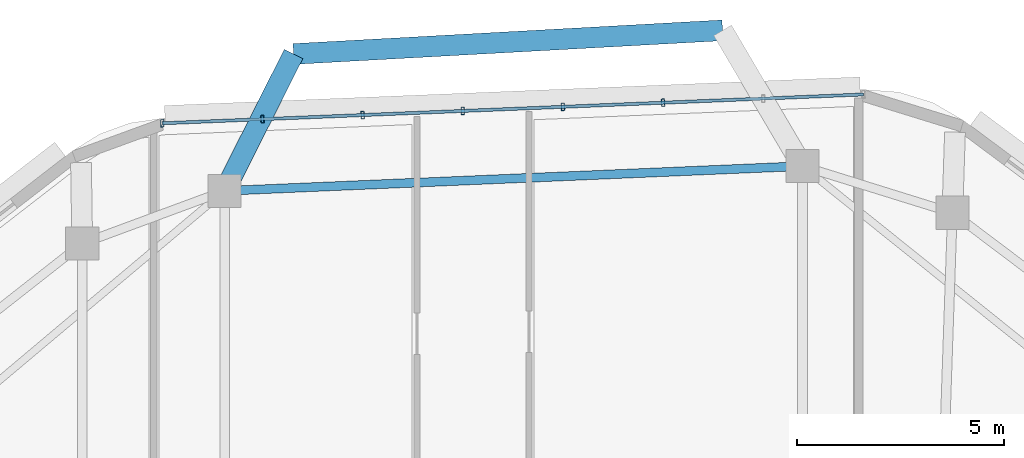
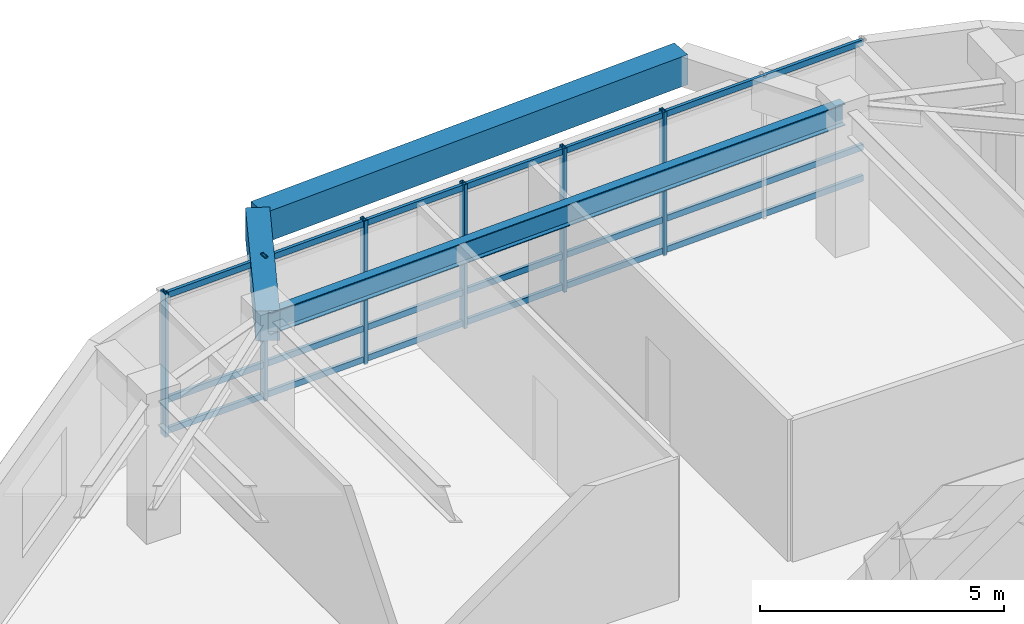
# One storey, part 2 of 12: 9 members, 3 beams, 1 element without a shape of its own.
"""IFC4 building model written with IfcOpenShell, lengths in metres."""

from ifc_helpers import new_model, si_unit, direction, frame, origin, origin_2d, place, context, subcontext, project, spatial, rectangle, hollow_rectangle, i_section, extrude, material, material_profile, profile_set, type_object, element, aggregate, save


model = new_model("IFC4")

# Units and contexts
model_context = context("Model", 3, precision=1e-05, world=origin(), true_north=direction((0.0, 1.0)))
body_context = subcontext(model_context, "Body", "Model", "MODEL_VIEW")
ifc_project = project(units=[si_unit("LENGTHUNIT", "METRE"), si_unit("AREAUNIT", "SQUARE_METRE"), si_unit("VOLUMEUNIT", "CUBIC_METRE"), si_unit("PLANEANGLEUNIT", "RADIAN"), si_unit("MASSUNIT", "GRAM", prefix="KILO")], contexts=[model_context])

# Site, building, storey
site_placement = place(None, origin())
site = spatial("IfcSite", under=ifc_project, at=site_placement, CompositionType="ELEMENT")
building_placement = place(site_placement, origin())
building = spatial("IfcBuilding", under=site, at=building_placement, Name="Zulverin Broadcast Headquarters", CompositionType="ELEMENT")
storey_placement = place(building_placement, frame((0.0, 0.0, 293.39990234375)))
storey = spatial("IfcBuildingStorey", under=building, at=storey_placement, Name="L75", CompositionType="ELEMENT", Elevation=293.39990234375)

# Beams
ifc_material_1 = material(Name="Concrete C40/50", Category="concrete")
ifc_material_profile_1 = material_profile(ifc_material_1, rectangle(XDim=0.5, YDim=0.75, at=origin_2d()), Name="Concrete C40/50", Category="concrete")
ifc_profile_set_1 = profile_set([ifc_material_profile_1], Name="Concrete C40/50")
beam_type_1 = type_object("IfcBeamType", Name="BM-RC-500x750", PredefinedType="BEAM", material=ifc_profile_set_1)
beam_1_placement = place(storey_placement, frame((31.006591796875, 45.699951171875, 3.1650390625), z_axis=(0.450116919945, 0.892969629035, 0.0), x_axis=(-0.892969629035, 0.450116919945, 0.0)))
element("IfcBeam", 1, at=beam_1_placement, inside=storey, type_object=beam_type_1, Name="L76 Balcony Column-Framed Cantilever BAL_N-2", PredefinedType="BEAM", context=body_context, shape_type="SweptSolid", body=[
    extrude(rectangle(XDim=0.5, YDim=0.75, at=origin_2d()), origin(), (0.0, 0.0, 1.0), 3.697021484375),
])
beam_2_placement = place(storey_placement, frame((43.0166015625, 49.5712890625, 3.1650390625), z_axis=(-0.998485407451, -0.055017189192, 0.0), x_axis=(0.055017189192, -0.998485407451, 0.0)))
element("IfcBeam", 2, at=beam_2_placement, inside=storey, type_object=beam_type_1, Name="L76 Balcony Outer Edge Trimmer Beam BAL_N", PredefinedType="BEAM", context=body_context, shape_type="SweptSolid", body=[
    extrude(rectangle(XDim=0.5, YDim=0.75, at=origin_2d()), origin(), (0.0, 0.0, 1.0), 10.361572265625),
])
ifc_material_2 = material(Name="Structural steel S355JR", Category="steel")
ifc_material_profile_2 = material_profile(ifc_material_2, i_section(OverallWidth=0.2119140625, OverallDepth=0.54443359375, WebThickness=0.0126953125, FlangeThickness=0.021240234375, at=origin_2d()), Name="Structural steel S355JR", Category="steel")
ifc_profile_set_2 = profile_set([ifc_material_profile_2], Name="Structural steel S355JR")
beam_type_2 = type_object("IfcBeamType", Name="BM-UB-533", PredefinedType="SPANDREL", material=ifc_profile_set_2)
beam_3_placement = place(storey_placement, frame((44.944580078125, 46.296630859375, 3.267822265625), z_axis=(-0.999084926695, -0.042770424958, 0.0), x_axis=(0.042770424958, -0.999084926695, 0.0)))
element("IfcBeam", 3, at=beam_3_placement, inside=storey, type_object=beam_type_2, Name="L75 Perimeter Spandrel Beam SP-09", PredefinedType="SPANDREL", context=body_context, shape_type="SweptSolid", body=[
    extrude(i_section(OverallWidth=0.2119140625, OverallDepth=0.54443359375, WebThickness=0.0126953125, FlangeThickness=0.021240234375, at=origin_2d()), origin(), (0.0, 0.0, 1.0), 13.95068359375),
])

# Curtain wall, members
ifc_material_3 = material(Name="High-zone solar-control unitised curtain wall", Category="aluminium")
curtain_wall_type = type_object("IfcCurtainWallType", Name="CW-TWR-UPP", PredefinedType="USERDEFINED", material=ifc_material_3)
curtain_wall_placement = place(storey_placement, origin())
curtain_wall = element("IfcCurtainWall", 4, at=curtain_wall_placement, inside=storey, type_object=curtain_wall_type, Name="L75 Unitised Curtain Wall CW-L75-E5", ObjectType="UNITISED CURTAIN WALL", PredefinedType="USERDEFINED")
ifc_material_4 = material(Name="Anodized pale-metal aluminium alloy 6063-T6", Category="aluminium")
ifc_material_profile_3 = material_profile(ifc_material_4, hollow_rectangle(XDim=0.074951171875, YDim=0.179931640625, WallThickness=0.0048828125, at=origin_2d()), Name="Anodized pale-metal aluminium alloy 6063-T6", Category="aluminium")
ifc_profile_set_3 = profile_set([ifc_material_profile_3], Name="Anodized pale-metal aluminium alloy 6063-T6")
member_type_1 = type_object("IfcMemberType", Name="CW-MUL-180", PredefinedType="MULLION", material=ifc_profile_set_3)
member_1_placement = place(storey_placement, frame((41.581787109375, 47.826416015625, -0.02978515625), z_axis=(0.0, 0.0, 1.0), x_axis=(-0.999156343069, -0.041068261531, 0.0)))
member_1 = element("IfcMember", 5, at=member_1_placement, type_object=member_type_1, Name="CW-L75-E5 Mullion 02", PredefinedType="MULLION", context=body_context, shape_type="SweptSolid", body=[
    extrude(hollow_rectangle(XDim=0.074951171875, YDim=0.179931640625, WallThickness=0.0048828125, at=origin_2d()), origin(), (0.0, 0.0, 1.0), 3.599853515625),
])
member_2_placement = place(storey_placement, frame((39.166259765625, 47.72705078125, -0.02978515625), z_axis=(0.0, 0.0, 1.0), x_axis=(-0.999156343069, -0.041068261531, 0.0)))
member_2 = element("IfcMember", 6, at=member_2_placement, type_object=member_type_1, Name="CW-L75-E5 Mullion 03", PredefinedType="MULLION", context=body_context, shape_type="SweptSolid", body=[
    extrude(hollow_rectangle(XDim=0.074951171875, YDim=0.179931640625, WallThickness=0.0048828125, at=origin_2d()), origin(), (0.0, 0.0, 1.0), 3.599853515625),
])
member_3_placement = place(storey_placement, frame((36.750732421875, 47.627685546875, -0.02978515625), z_axis=(0.0, 0.0, 1.0), x_axis=(-0.999156343069, -0.041068261531, 0.0)))
member_3 = element("IfcMember", 7, at=member_3_placement, type_object=member_type_1, Name="CW-L75-E5 Mullion 04", PredefinedType="MULLION", context=body_context, shape_type="SweptSolid", body=[
    extrude(hollow_rectangle(XDim=0.074951171875, YDim=0.179931640625, WallThickness=0.0048828125, at=origin_2d()), origin(), (0.0, 0.0, 1.0), 3.599853515625),
])
member_4_placement = place(storey_placement, frame((34.335205078125, 47.528564453125, -0.02978515625), z_axis=(0.0, 0.0, 1.0), x_axis=(-0.999156343069, -0.041068261531, 0.0)))
member_4 = element("IfcMember", 8, at=member_4_placement, type_object=member_type_1, Name="CW-L75-E5 Mullion 05", PredefinedType="MULLION", context=body_context, shape_type="SweptSolid", body=[
    extrude(hollow_rectangle(XDim=0.074951171875, YDim=0.179931640625, WallThickness=0.0048828125, at=origin_2d()), origin(), (0.0, 0.0, 1.0), 3.599853515625),
])
member_5_placement = place(storey_placement, frame((31.919677734375, 47.42919921875, -0.02978515625), z_axis=(0.0, 0.0, 1.0), x_axis=(-0.999156343069, -0.041068261531, 0.0)))
member_5 = element("IfcMember", 9, at=member_5_placement, type_object=member_type_1, Name="CW-L75-E5 Mullion 06", PredefinedType="MULLION", context=body_context, shape_type="SweptSolid", body=[
    extrude(hollow_rectangle(XDim=0.074951171875, YDim=0.179931640625, WallThickness=0.0048828125, at=origin_2d()), origin(), (0.0, 0.0, 1.0), 3.599853515625),
])
member_6_placement = place(storey_placement, frame((29.504150390625, 47.329833984375, -0.02978515625), z_axis=(0.0, 0.0, 1.0), x_axis=(-0.999156343069, -0.041068261531, 0.0)))
member_6 = element("IfcMember", 10, at=member_6_placement, type_object=member_type_1, Name="CW-L75-E5 Mullion 07", PredefinedType="MULLION", context=body_context, shape_type="SweptSolid", body=[
    extrude(hollow_rectangle(XDim=0.074951171875, YDim=0.179931640625, WallThickness=0.0048828125, at=origin_2d()), origin(), (0.0, 0.0, 1.0), 3.599853515625),
])
ifc_material_profile_4 = material_profile(ifc_material_4, hollow_rectangle(XDim=0.074951171875, YDim=0.14990234375, WallThickness=0.0048828125, at=origin_2d()), Name="Anodized pale-metal aluminium alloy 6063-T6", Category="aluminium")
ifc_profile_set_4 = profile_set([ifc_material_profile_4], Name="Anodized pale-metal aluminium alloy 6063-T6")
member_type_2 = type_object("IfcMemberType", Name="CW-TRN-150", PredefinedType="USERDEFINED", material=ifc_profile_set_4)
member_7_placement = place(storey_placement, frame((46.412841796875, 48.02490234375, 0.0751953125), z_axis=(-0.99915616979, -0.041072477048, 0.0), x_axis=(0.041072477048, -0.99915616979, 0.0)))
member_7 = element("IfcMember", 11, at=member_7_placement, type_object=member_type_2, Name="CW-L75-E5 Transom 0", ObjectType="TRANSOM", PredefinedType="USERDEFINED", context=body_context, shape_type="SweptSolid", body=[
    extrude(hollow_rectangle(XDim=0.074951171875, YDim=0.14990234375, WallThickness=0.0048828125, at=origin_2d()), origin(), (0.0, 0.0, 1.0), 16.9228515625),
])
member_8_placement = place(storey_placement, frame((46.412841796875, 48.02490234375, 0.849609375), z_axis=(-0.99915616979, -0.041072477048, 0.0), x_axis=(0.041072477048, -0.99915616979, 0.0)))
member_8 = element("IfcMember", 12, at=member_8_placement, type_object=member_type_2, Name="CW-L75-E5 Transom 1", ObjectType="TRANSOM", PredefinedType="USERDEFINED", context=body_context, shape_type="SweptSolid", body=[
    extrude(hollow_rectangle(XDim=0.074951171875, YDim=0.14990234375, WallThickness=0.0048828125, at=origin_2d()), origin(), (0.0, 0.0, 1.0), 16.9228515625),
])
member_9_placement = place(storey_placement, frame((46.412841796875, 48.02490234375, 3.465087890625), z_axis=(-0.99915616979, -0.041072477048, 0.0), x_axis=(0.041072477048, -0.99915616979, 0.0)))
member_9 = element("IfcMember", 13, at=member_9_placement, type_object=member_type_2, Name="CW-L75-E5 Transom 2", ObjectType="TRANSOM", PredefinedType="USERDEFINED", context=body_context, shape_type="SweptSolid", body=[
    extrude(hollow_rectangle(XDim=0.074951171875, YDim=0.14990234375, WallThickness=0.0048828125, at=origin_2d()), origin(), (0.0, 0.0, 1.0), 16.9228515625),
])
aggregate(curtain_wall, [member_1, member_2, member_3, member_4, member_5, member_6, member_7, member_8, member_9])

save(model, "model.ifc")
